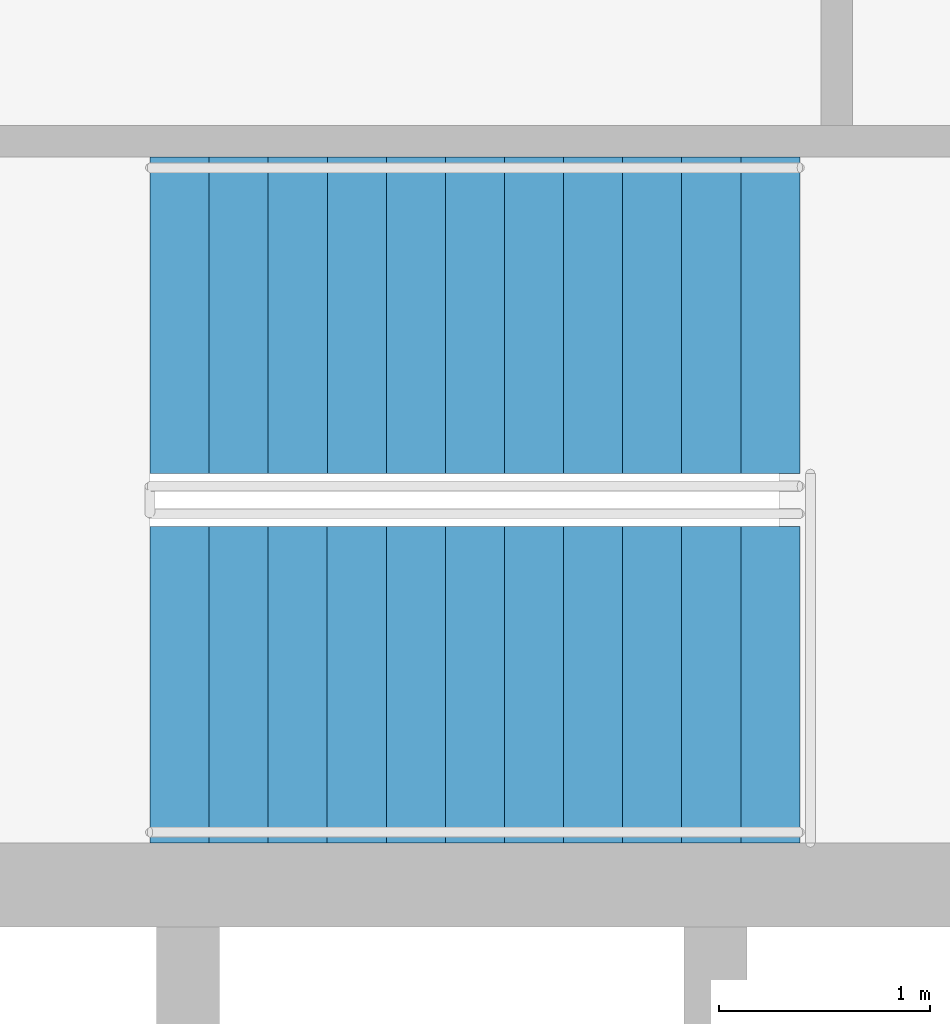
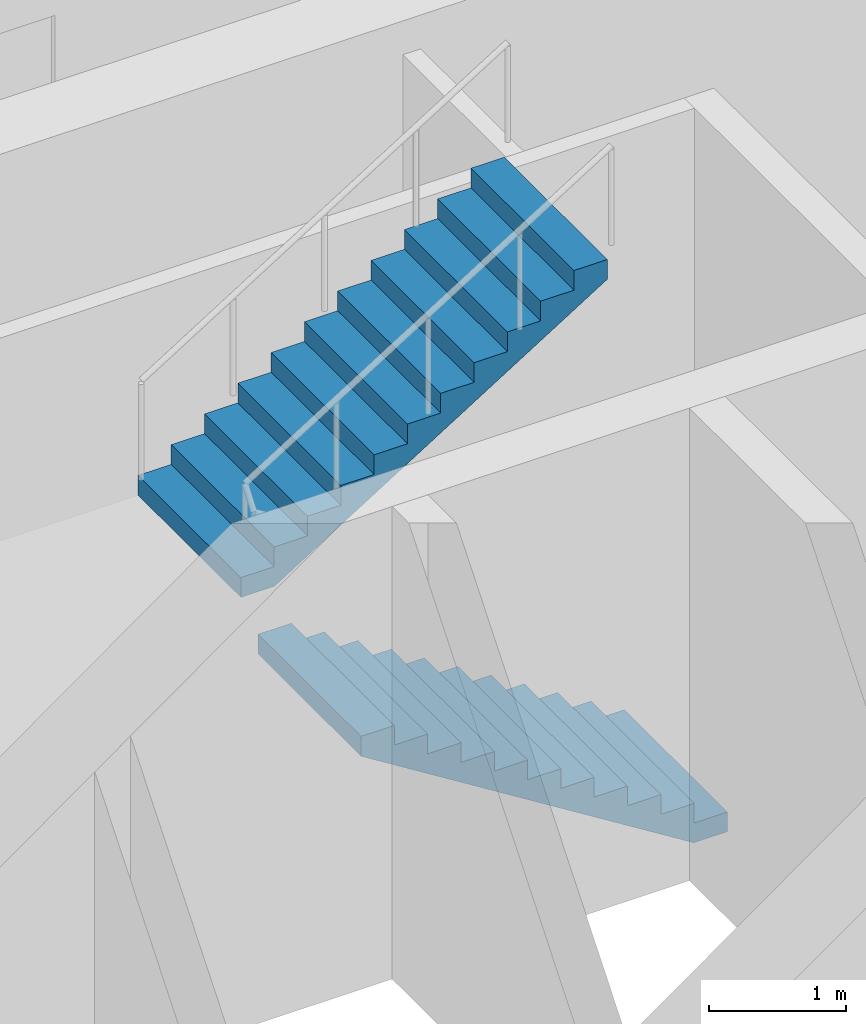
# One storey, part 8 of 11: 2 stair flights, 1 element without a shape of its own.
"""IFC4 building model written with IfcOpenShell, lengths in metres."""

from ifc_helpers import new_model, si_unit, direction, frame, origin, place, context, subcontext, project, spatial, polyline, outline, extrude, material, type_object, element, aggregate, save


model = new_model("IFC4")

# Units and contexts
model_context = context("Model", 3, precision=1e-05, world=origin(), true_north=direction((0.0, 1.0)))
body_context = subcontext(model_context, "Body", "Model", "MODEL_VIEW")
ifc_project = project(units=[si_unit("LENGTHUNIT", "METRE"), si_unit("AREAUNIT", "SQUARE_METRE"), si_unit("VOLUMEUNIT", "CUBIC_METRE"), si_unit("PLANEANGLEUNIT", "RADIAN"), si_unit("MASSUNIT", "GRAM", prefix="KILO")], contexts=[model_context])

# Site, building, storey
site_placement = place(None, origin())
site = spatial("IfcSite", under=ifc_project, at=site_placement, CompositionType="ELEMENT")
building_placement = place(site_placement, origin())
building = spatial("IfcBuilding", under=site, at=building_placement, Name="Halqa Exchange Tower", CompositionType="ELEMENT")
storey_placement = place(building_placement, frame((0.0, 0.0, 73.89990234375)))
storey = spatial("IfcBuildingStorey", under=building, at=storey_placement, Name="L16", CompositionType="ELEMENT", Elevation=73.89990234375)

# Stair, stair flights
ifc_material = material(Name="Concrete C30/37", Category="concrete")
stair_type = type_object("IfcStairType", Name="Exit stair 1500 wide", PredefinedType="HALF_TURN_STAIR", material=ifc_material)
stair_placement = place(storey_placement, origin())
stair = element("IfcStair", 1, at=stair_placement, inside=storey, type_object=stair_type, Name="Exit stair ST2", PredefinedType="HALF_TURN_STAIR")
stair_flight_type = type_object("IfcStairFlightType", Name="Stair flight 1500 wide", PredefinedType="STRAIGHT", material=ifc_material)
stair_flight_1_placement = place(storey_placement, frame((6.64990234375, 7.25, 0.0), z_axis=(0.0, 0.0, 1.0), x_axis=(-1.0, 0.0, 0.0)))
stair_flight_1 = element("IfcStairFlight", 2, at=stair_flight_1_placement, type_object=stair_flight_type, Name="ST2 flight 1", NumberOfRisers=12, NumberOfTreads=11, PredefinedType="STRAIGHT", RiserHeight=0.175, TreadLength=0.28, context=body_context, shape_type="SweptSolid", body=[
    extrude(outline(polyline([(0.0, 0.0), (0.0, 0.175048828125), (0.280029296875, 0.175048828125), (0.280029296875, 0.35009765625), (0.56005859375, 0.35009765625), (0.56005859375, 0.52490234375), (0.840087890625, 0.52490234375), (0.840087890625, 0.699951171875), (1.1201171875, 0.699951171875), (1.1201171875, 0.875), (1.39990234375, 0.875), (1.39990234375, 1.050048828125), (1.679931640625, 1.050048828125), (1.679931640625, 1.22509765625), (1.9599609375, 1.22509765625), (1.9599609375, 1.39990234375), (2.239990234375, 1.39990234375), (2.239990234375, 1.574951171875), (2.52001953125, 1.574951171875), (2.52001953125, 1.75), (2.800048828125, 1.75), (2.800048828125, 1.925048828125), (3.080078125, 1.925048828125), (3.080078125, 2.10009765625), (3.080078125, 1.748291015625), (0.28271484375, 0.0), (0.0, 0.0)])), frame((0.0, 0.75, 0.0), z_axis=(0.0, -1.0, 0.0), x_axis=(1.0, 0.0, 0.0)), (0.0, 0.0, 1.0), 1.5),
])
stair_flight_2_placement = place(storey_placement, frame((3.570068359375, 9.0, 2.10009765625), z_axis=(0.0, 0.0, 1.0), x_axis=(1.0, 0.0, 0.0)))
stair_flight_2 = element("IfcStairFlight", 3, at=stair_flight_2_placement, type_object=stair_flight_type, Name="ST2 flight 2", NumberOfRisers=12, NumberOfTreads=11, PredefinedType="STRAIGHT", RiserHeight=0.175, TreadLength=0.28, context=body_context, shape_type="SweptSolid", body=[
    extrude(outline(polyline([(0.0, 0.0), (0.0, 0.175048828125), (0.280029296875, 0.175048828125), (0.280029296875, 0.35009765625), (0.56005859375, 0.35009765625), (0.56005859375, 0.52490234375), (0.840087890625, 0.52490234375), (0.840087890625, 0.699951171875), (1.1201171875, 0.699951171875), (1.1201171875, 0.875), (1.39990234375, 0.875), (1.39990234375, 1.050048828125), (1.679931640625, 1.050048828125), (1.679931640625, 1.22509765625), (1.9599609375, 1.22509765625), (1.9599609375, 1.39990234375), (2.239990234375, 1.39990234375), (2.239990234375, 1.574951171875), (2.52001953125, 1.574951171875), (2.52001953125, 1.75), (2.800048828125, 1.75), (2.800048828125, 1.925048828125), (3.080078125, 1.925048828125), (3.080078125, 2.10009765625), (3.080078125, 1.748291015625), (0.28271484375, 0.0), (0.0, 0.0)])), frame((0.0, 0.75, 0.0), z_axis=(0.0, -1.0, 0.0), x_axis=(1.0, 0.0, 0.0)), (0.0, 0.0, 1.0), 1.5),
])
aggregate(stair, [stair_flight_1, stair_flight_2])

save(model, "model.ifc")
